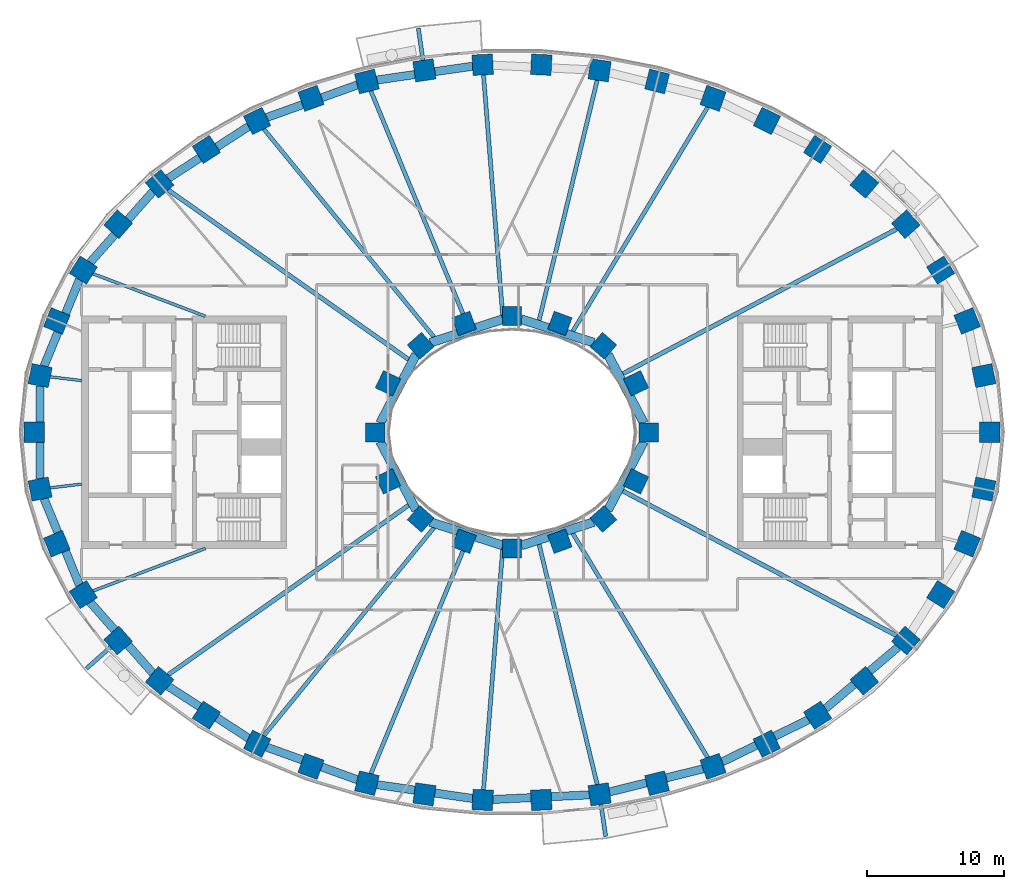
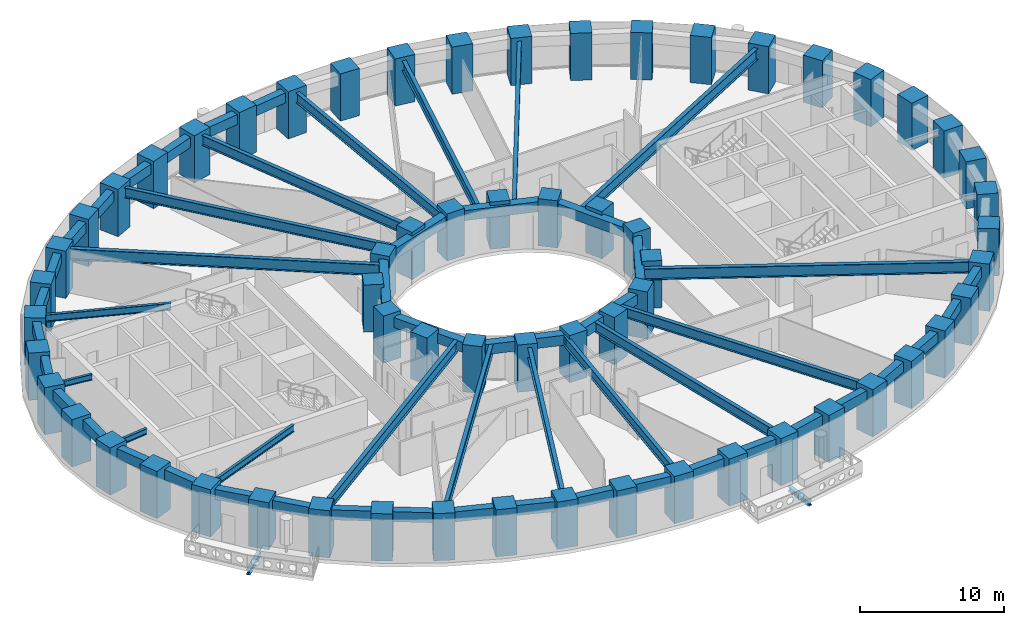
# One storey, part 1 of 16: 62 columns, 44 beams.
"""IFC4 building model written with IfcOpenShell, lengths in metres."""

import ifcopenshell
import ifcopenshell.guid

model = None  # the IFC model being written
_history = None  # IfcOwnerHistory: only IFC2X3 demands one
_inside = {}  # id of a spatial element -> (the spatial element, [elements in it])
_under = {}  # id of a project, library or spatial element -> (it, [spatial elements below it])
_declared = {}  # id of a project -> (the project, [libraries it declares])
_typed = {}  # id of a type object -> (the type object, [elements of that type])
_made_of = {}  # id of a material, layer set ... -> (it, [elements and type objects made of it])


def new_model(schema):
    """Start an empty IFC model of exactly this schema.

    Asked for "IFC4X3", IfcOpenShell would pick the latest addendum, in which some entities
    have other attributes; the version numbers below select the first issue.
    IFC2X3 requires an IfcOwnerHistory on every rooted entity: one is made here for all.
    """
    global model, _history
    if schema == "IFC4X3":
        model = ifcopenshell.file(schema_version=(4, 3, 0, 0))
    else:
        model = ifcopenshell.file(schema=schema)
    _inside.clear()
    _under.clear()
    _declared.clear()
    _typed.clear()
    _made_of.clear()
    _history = None
    if model.schema == "IFC2X3":
        org = make("IfcOrganization", Name="unknown")
        user = make(
            "IfcPersonAndOrganization",
            ThePerson=make("IfcPerson", FamilyName="unknown"),
            TheOrganization=org,
        )
        app = make(
            "IfcApplication",
            ApplicationDeveloper=org,
            Version="unknown",
            ApplicationFullName="unknown",
            ApplicationIdentifier="unknown",
        )
        _history = make(
            "IfcOwnerHistory",
            OwningUser=user,
            OwningApplication=app,
            ChangeAction="ADDED",
            CreationDate=0,
        )
    return model


def make(cls, **values):
    """One entity of the class cls with the attributes given. An attribute that is None is left unset."""
    return model.create_entity(
        cls, **{name: value for name, value in values.items() if value is not None}
    )


def rooted(cls, **values):
    """An entity with a GlobalId (a new one), such as an element, a storey or a relation."""
    return make(cls, GlobalId=ifcopenshell.guid.new(), OwnerHistory=_history, **values)


def si_unit(unit_type, name, prefix=None):
    """IfcSIUnit, for example si_unit("LENGTHUNIT", "METRE", prefix="MILLI")."""
    return make("IfcSIUnit", UnitType=unit_type, Prefix=prefix, Name=name)


def assignment(units):
    """IfcUnitAssignment: the units of a project."""
    return None if units is None else make("IfcUnitAssignment", Units=units)


def point(xyz):
    """IfcCartesianPoint."""
    return None if xyz is None else make("IfcCartesianPoint", Coordinates=xyz)


def direction(xyz):
    """IfcDirection."""
    return None if xyz is None else make("IfcDirection", DirectionRatios=xyz)


def frame(location, z_axis=None, x_axis=None):
    """IfcAxis2Placement3D, a coordinate frame: its origin and axes. An axis left out is left unset."""
    return make(
        "IfcAxis2Placement3D",
        Location=point(location),
        Axis=direction(z_axis),
        RefDirection=direction(x_axis),
    )


def frame_2d(location, x_axis=None):
    """IfcAxis2Placement2D, a coordinate frame in the plane: its origin and x axis."""
    return make(
        "IfcAxis2Placement2D", Location=point(location), RefDirection=direction(x_axis)
    )


def origin():
    """The frame at (0, 0, 0) with its axes left unset."""
    return frame((0.0, 0.0, 0.0))


def origin_2d():
    """The frame at (0, 0) in the plane with its x axis left unset."""
    return frame_2d((0.0, 0.0))


def place(relative_to, where):
    """IfcLocalPlacement: puts the frame where relative to a parent placement (None: the world)."""
    return make(
        "IfcLocalPlacement", PlacementRelTo=relative_to, RelativePlacement=where
    )


def context(
    kind, dimensions, precision=None, world=None, true_north=None, identifier=None
):
    """IfcGeometricRepresentationContext, for example the 3D "Model" context."""
    return make(
        "IfcGeometricRepresentationContext",
        ContextIdentifier=identifier,
        ContextType=kind,
        CoordinateSpaceDimension=dimensions,
        Precision=precision,
        WorldCoordinateSystem=world,
        TrueNorth=true_north,
    )


def subcontext(parent, identifier, kind, view, scale=None):
    """IfcGeometricRepresentationSubContext, for example "Body" below "Model"."""
    return make(
        "IfcGeometricRepresentationSubContext",
        ContextIdentifier=identifier,
        ContextType=kind,
        ParentContext=parent,
        TargetScale=scale,
        TargetView=view,
    )


def project(units=None, contexts=None):
    """IfcProject with its units and contexts."""
    return rooted(
        "IfcProject",
        Name="project",
        RepresentationContexts=contexts,
        UnitsInContext=assignment(units),
    )


def spatial(cls, under=None, at=None, **own):
    """A site, building, storey or space (cls), placed at a placement, below another one or the project."""
    s = rooted(cls, ObjectPlacement=at, **own)
    if under is not None:
        _under.setdefault(under.id(), (under, []))[1].append(s)
    return s


def profile(cls, at=None, kind="AREA", **sizes):
    """A parametric profile (cls). Its sizes go by their IFC names, for example OverallWidth=200.0."""
    return make(cls, ProfileType=kind, Position=at, **sizes)


def rectangle(**sizes):
    """IfcRectangleProfileDef."""
    return profile("IfcRectangleProfileDef", **sizes)


def i_section(**sizes):
    """IfcIShapeProfileDef."""
    return profile("IfcIShapeProfileDef", **sizes)


def extrude(swept, where, along, depth):
    """IfcExtrudedAreaSolid: the profile swept, set in the frame where, extruded along a direction by depth."""
    return make(
        "IfcExtrudedAreaSolid",
        SweptArea=swept,
        Position=where,
        ExtrudedDirection=direction(along),
        Depth=depth,
    )


def shape(context_of_items, identifier, shape_type, items):
    """IfcShapeRepresentation: the items that make up one representation, for example the "Body"."""
    return make(
        "IfcShapeRepresentation",
        ContextOfItems=context_of_items,
        RepresentationIdentifier=identifier,
        RepresentationType=shape_type,
        Items=items,
    )


def material(Name=None, Category=None):
    """IfcMaterial."""
    return make("IfcMaterial", Name=Name, Category=Category)


def material_profile(
    of_material, cross_section, Name=None, Category=None, Priority=None
):
    """IfcMaterialProfile: a cross section and its material."""
    return make(
        "IfcMaterialProfile",
        Name=Name,
        Material=of_material,
        Profile=cross_section,
        Priority=Priority,
        Category=Category,
    )


def profile_set(profiles, Name=None, composite=None):
    """IfcMaterialProfileSet."""
    return make(
        "IfcMaterialProfileSet",
        Name=Name,
        MaterialProfiles=profiles,
        CompositeProfile=composite,
    )


def made_of(thing, what):
    """Note that an element or type object is made of a material, layer set ...; save() writes the relation."""
    if what is not None:
        _made_of.setdefault(what.id(), (what, []))[1].append(thing)
    return thing


def type_object(cls, material=None, **own):
    """A type object (cls), such as IfcWallType, which elements share."""
    return made_of(rooted(cls, **own), material)


def element(
    cls,
    number,
    at=None,
    inside=None,
    cuts=None,
    type_object=None,
    material=None,
    context=None,
    identifier="Body",
    shape_type=None,
    held_by="IfcProductDefinitionShape",
    body=None,
    shapes=None,
    **own,
):
    """One element of the class cls, such as IfcWall. Its Tag is "e" and its number.

    at: its placement. inside: the storey or other place that contains it. cuts: it is an
    opening in that element (IfcRelVoidsElement). A single representation is given by context,
    identifier, shape_type and body (its items); several are given by shapes. held_by: the class
    of the entity that holds the representations. save() writes the other relations.
    """
    e = rooted(cls, Tag="e%d" % number, ObjectPlacement=at, **own)
    if body is not None:
        shapes = [shape(context, identifier, shape_type, body)]
    if shapes is not None:
        e.Representation = make(held_by, Representations=shapes)
    if inside is not None:
        _inside.setdefault(inside.id(), (inside, []))[1].append(e)
    if cuts is not None:
        rooted(
            "IfcRelVoidsElement", RelatingBuildingElement=cuts, RelatedOpeningElement=e
        )
    if type_object is not None:
        _typed.setdefault(type_object.id(), (type_object, []))[1].append(e)
    return made_of(e, material)


def aggregate(whole, parts):
    """IfcRelAggregates: a whole, such as a stair, and the parts it consists of."""
    return rooted("IfcRelAggregates", RelatingObject=whole, RelatedObjects=parts)


def save(model, path):
    """Write the relations noted so far, then the file.

    IfcRelAggregates (storeys below a building ...), IfcRelContainedInSpatialStructure (elements
    in a storey), IfcRelDefinesByType, IfcRelAssociatesMaterial and IfcRelDeclares: one each for
    every whole, place, type object, material and project.
    """
    for whole, parts in _under.values():
        aggregate(whole, parts)
    for where, things in _inside.values():
        rooted(
            "IfcRelContainedInSpatialStructure",
            RelatedElements=things,
            RelatingStructure=where,
        )
    for kind, things in _typed.values():
        rooted("IfcRelDefinesByType", RelatedObjects=things, RelatingType=kind)
    for what, things in _made_of.values():
        rooted("IfcRelAssociatesMaterial", RelatedObjects=things, RelatingMaterial=what)
    for by, libraries in _declared.values():
        rooted("IfcRelDeclares", RelatingContext=by, RelatedDefinitions=libraries)
    model.write(path)


model = new_model("IFC4")

# Units and contexts
model_context = context("Model", 3, precision=1e-05, world=origin(), true_north=direction((0.0, 1.0)))
body_context = subcontext(model_context, "Body", "Model", "MODEL_VIEW")
ifc_project = project(units=[si_unit("LENGTHUNIT", "METRE"), si_unit("AREAUNIT", "SQUARE_METRE"), si_unit("VOLUMEUNIT", "CUBIC_METRE"), si_unit("PLANEANGLEUNIT", "RADIAN"), si_unit("MASSUNIT", "GRAM", prefix="KILO")], contexts=[model_context])

# Site, building, storey
site_placement = place(None, origin())
site = spatial("IfcSite", under=ifc_project, at=site_placement, CompositionType="ELEMENT")
building_placement = place(site_placement, origin())
building = spatial("IfcBuilding", under=site, at=building_placement, Name="Noorbagh Ring Tower", CompositionType="ELEMENT")
storey_placement = place(building_placement, frame((0.0, 0.0, 54.5)))
storey = spatial("IfcBuildingStorey", under=building, at=storey_placement, Name="L11", CompositionType="ELEMENT", Elevation=54.5)

# Columns
ifc_material_1 = material(Name="Concrete C70/85", Category="concrete")
ifc_material_profile_1 = material_profile(ifc_material_1, rectangle(XDim=1.5, YDim=1.5, at=origin_2d()), Name="RC1500x1500")
ifc_profile_set_1 = profile_set([ifc_material_profile_1], Name="Concrete C70/85")
column_type_1 = type_object("IfcColumnType", Name="STR-COL-RC1500x1500-C70-85", PredefinedType="COLUMN", material=ifc_profile_set_1)
for number, where, z_axis, x_axis, name in (
    (1, (34.944580078125, 0.0, 0.0), (0.0, 0.0, 1.0), (0.0, 1.0, 0.0), "L11/col/R1-01"),
    (2, (34.52685546875, 4.150634765625, 0.0), (0.0, 0.0, 1.0), (-0.19723040178, 0.9803571638, 0.0), "L11/col/R1-02"),
    (3, (33.30517578125, 8.1494140625, 0.0), (0.0, 0.0, 1.0), (-0.378989499959, 0.925400971969, 0.0), "L11/col/R1-03"),
    (4, (31.364990234375, 11.87109375, 0.0), (0.0, 0.0, 1.0), (-0.535190403059, 0.844731455833, 0.0), "L11/col/R1-04"),
    (5, (28.81884765625, 15.23046875, 0.0), (0.0, 0.0, 1.0), (-0.662635642662, 0.748941923699, 0.0), "L11/col/R1-05"),
    (6, (25.78271484375, 18.180419921875, 0.0), (0.0, 0.0, 1.0), (-0.763035199656, 0.646356932419, 0.0), "L11/col/R1-06"),
    (7, (22.362060546875, 20.699951171875, 0.0), (0.0, 0.0, 1.0), (-0.840247639643, 0.542202825586, 0.0), "L11/col/R1-07"),
    (8, (18.646240234375, 22.785400390625, 0.0), (0.0, 0.0, 1.0), (-0.898399080868, 0.439180021741, 0.0), "L11/col/R1-08"),
    (9, (14.70947265625, 24.44091796875, 0.0), (0.0, 0.0, 1.0), (-0.941024726094, 0.338337797003, 0.0), "L11/col/R1-09"),
    (10, (10.61328125, 25.673583984375, 0.0), (0.0, 0.0, 1.0), (-0.970829360981, 0.239771457553, 0.0), "L11/col/R1-10"),
    (11, (6.4091796875, 26.49072265625, 0.0), (0.0, 0.0, 1.0), (-0.989713114048, 0.143066249975, 0.0), "L11/col/R1-11"),
    (12, (2.14306640625, 26.89794921875, 0.0), (0.0, 0.0, 1.0), (-0.998868731212, 0.047552684538, 0.0), "L11/col/R1-12"),
    (13, (-2.14306640625, 26.89794921875, 0.0), (0.0, 0.0, 1.0), (-0.998868731212, -0.047552684538, 0.0), "L11/col/R1-13"),
    (14, (-6.4091796875, 26.49072265625, 0.0), (0.0, 0.0, 1.0), (-0.989713114048, -0.143066249975, 0.0), "L11/col/R1-14"),
    (15, (-10.61328125, 25.673583984375, 0.0), (0.0, 0.0, 1.0), (-0.970829360981, -0.239771457553, 0.0), "L11/col/R1-15"),
    (16, (-14.70947265625, 24.44091796875, 0.0), (0.0, 0.0, 1.0), (-0.941024726094, -0.338337797003, 0.0), "L11/col/R1-16"),
    (17, (-18.646240234375, 22.785400390625, 0.0), (0.0, 0.0, 1.0), (-0.898399080868, -0.439180021741, 0.0), "L11/col/R1-17"),
    (18, (-22.362060546875, 20.699951171875, 0.0), (0.0, 0.0, 1.0), (-0.840247639643, -0.542202825586, 0.0), "L11/col/R1-18"),
    (19, (-25.78271484375, 18.180419921875, 0.0), (0.0, 0.0, 1.0), (-0.763035199656, -0.646356932419, 0.0), "L11/col/R1-19"),
    (20, (-28.81884765625, 15.23046875, 0.0), (0.0, 0.0, 1.0), (-0.662635642662, -0.748941923699, 0.0), "L11/col/R1-20"),
    (21, (-31.364990234375, 11.87109375, 0.0), (0.0, 0.0, 1.0), (-0.535190403059, -0.844731455833, 0.0), "L11/col/R1-21"),
    (22, (-33.30517578125, 8.1494140625, 0.0), (0.0, 0.0, 1.0), (-0.378989499959, -0.925400971969, 0.0), "L11/col/R1-22"),
    (23, (-34.52685546875, 4.150634765625, 0.0), (0.0, 0.0, 1.0), (-0.19723040178, -0.9803571638, 0.0), "L11/col/R1-23"),
    (24, (-34.944580078125, 0.0, 0.0), (0.0, 0.0, 1.0), (0.0, -1.0, 0.0), "L11/col/R1-24"),
    (25, (-34.52685546875, -4.150634765625, 0.0), (0.0, 0.0, 1.0), (0.19723040178, -0.9803571638, 0.0), "L11/col/R1-25"),
    (26, (-33.30517578125, -8.1494140625, 0.0), (0.0, 0.0, 1.0), (0.378989499959, -0.925400971969, 0.0), "L11/col/R1-26"),
    (27, (-31.364990234375, -11.87109375, 0.0), (0.0, 0.0, 1.0), (0.535190403059, -0.844731455833, 0.0), "L11/col/R1-27"),
    (28, (-28.81884765625, -15.23046875, 0.0), (0.0, 0.0, 1.0), (0.662635642662, -0.748941923699, 0.0), "L11/col/R1-28"),
    (29, (-25.78271484375, -18.180419921875, 0.0), (0.0, 0.0, 1.0), (0.763035199656, -0.646356932419, 0.0), "L11/col/R1-29"),
    (30, (-22.362060546875, -20.699951171875, 0.0), (0.0, 0.0, 1.0), (0.840247639643, -0.542202825586, 0.0), "L11/col/R1-30"),
    (31, (-18.646240234375, -22.785400390625, 0.0), (0.0, 0.0, 1.0), (0.898399080868, -0.439180021741, 0.0), "L11/col/R1-31"),
    (32, (-14.70947265625, -24.44091796875, 0.0), (0.0, 0.0, 1.0), (0.941024726094, -0.338337797003, 0.0), "L11/col/R1-32"),
    (33, (-10.61328125, -25.673583984375, 0.0), (0.0, 0.0, 1.0), (0.970829360981, -0.239771457553, 0.0), "L11/col/R1-33"),
    (34, (-6.4091796875, -26.49072265625, 0.0), (0.0, 0.0, 1.0), (0.989713114048, -0.143066249975, 0.0), "L11/col/R1-34"),
    (35, (-2.14306640625, -26.89794921875, 0.0), (0.0, 0.0, 1.0), (0.998868731212, -0.047552684538, 0.0), "L11/col/R1-35"),
    (36, (2.14306640625, -26.89794921875, 0.0), (0.0, 0.0, 1.0), (0.998868731212, 0.047552684538, 0.0), "L11/col/R1-36"),
    (37, (6.4091796875, -26.49072265625, 0.0), (0.0, 0.0, 1.0), (0.989713114048, 0.143066249975, 0.0), "L11/col/R1-37"),
    (38, (10.61328125, -25.673583984375, 0.0), (0.0, 0.0, 1.0), (0.970829360981, 0.239771457553, 0.0), "L11/col/R1-38"),
    (39, (14.70947265625, -24.44091796875, 0.0), (0.0, 0.0, 1.0), (0.941024726094, 0.338337797003, 0.0), "L11/col/R1-39"),
    (40, (18.646240234375, -22.785400390625, 0.0), (0.0, 0.0, 1.0), (0.898399080868, 0.439180021741, 0.0), "L11/col/R1-40"),
    (41, (22.362060546875, -20.699951171875, 0.0), (0.0, 0.0, 1.0), (0.840247639643, 0.542202825586, 0.0), "L11/col/R1-41"),
    (42, (25.78271484375, -18.180419921875, 0.0), (0.0, 0.0, 1.0), (0.763035199656, 0.646356932419, 0.0), "L11/col/R1-42"),
    (43, (28.81884765625, -15.23046875, 0.0), (0.0, 0.0, 1.0), (0.662635642662, 0.748941923699, 0.0), "L11/col/R1-43"),
    (44, (31.364990234375, -11.87109375, 0.0), (0.0, 0.0, 1.0), (0.535190403059, 0.844731455833, 0.0), "L11/col/R1-44"),
    (45, (33.30517578125, -8.1494140625, 0.0), (0.0, 0.0, 1.0), (0.378989499959, 0.925400971969, 0.0), "L11/col/R1-45"),
    (46, (34.52685546875, -4.150634765625, 0.0), (0.0, 0.0, 1.0), (0.19723040178, 0.9803571638, 0.0), "L11/col/R1-46"),
):
    element("IfcColumn", number, at=place(storey_placement, frame(where, z_axis=z_axis, x_axis=x_axis)), inside=storey, type_object=column_type_1, Name=name, PredefinedType="COLUMN", context=body_context, shape_type="SweptSolid", body=[
        extrude(rectangle(XDim=1.5, YDim=1.5, at=origin_2d()), origin(), (0.0, 0.0, 1.0), 4.0),
    ])
ifc_material_2 = material(Name="Concrete C70/85", Category="concrete")
ifc_material_profile_2 = material_profile(ifc_material_2, rectangle(XDim=1.39990234375, YDim=1.39990234375, at=origin_2d()), Name="RC1400x1400")
ifc_profile_set_2 = profile_set([ifc_material_profile_2], Name="Concrete C70/85")
column_type_2 = type_object("IfcColumnType", Name="STR-ICOL-RC1400x1400-C70-85", PredefinedType="COLUMN", material=ifc_profile_set_2)
for number, where, z_axis, x_axis, name in (
    (47, (10.00830078125, 0.0, 0.0), (0.0, 0.0, 1.0), (0.0, 1.0, 0.0), "L11/col/IR2-W01"),
    (48, (9.07568359375, 3.58837890625, 0.0), (0.0, 0.0, 1.0), (-0.428666979171, 0.903462573087, 0.0), "L11/col/IR2-W03"),
    (49, (6.68212890625, 6.333740234375, 0.0), (0.0, 0.0, 1.0), (-0.75102249095, 0.660276622399, 0.0), "L11/col/IR2-W05"),
    (50, (3.5009765625, 7.967041015625, 0.0), (0.0, 0.0, 1.0), (-0.939019578916, 0.343863679984, 0.0), "L11/col/IR2-W07"),
    (51, (0.0, 8.5029296875, 0.0), (0.0, 0.0, 1.0), (-1.0, 0.0, 0.0), "L11/col/IR2-W09"),
    (52, (-3.5009765625, 7.967041015625, 0.0), (0.0, 0.0, 1.0), (-0.939019578916, -0.343863679984, 0.0), "L11/col/IR2-W11"),
    (53, (-6.68212890625, 6.333740234375, 0.0), (0.0, 0.0, 1.0), (-0.75102249095, -0.660276622399, 0.0), "L11/col/IR2-W13"),
    (54, (-9.07568359375, 3.58837890625, 0.0), (0.0, 0.0, 1.0), (-0.428666979171, -0.903462573087, 0.0), "L11/col/IR2-W15"),
    (55, (-10.00830078125, 0.0, 0.0), (0.0, 0.0, 1.0), (0.0, -1.0, 0.0), "L11/col/IR2-W17"),
    (56, (-9.07568359375, -3.58837890625, 0.0), (0.0, 0.0, 1.0), (0.428666979171, -0.903462573087, 0.0), "L11/col/IR2-W19"),
    (57, (-6.68212890625, -6.333740234375, 0.0), (0.0, 0.0, 1.0), (0.75102249095, -0.660276622399, 0.0), "L11/col/IR2-W21"),
    (58, (-3.5009765625, -7.967041015625, 0.0), (0.0, 0.0, 1.0), (0.939019578916, -0.343863679984, 0.0), "L11/col/IR2-W23"),
    (59, (0.0, -8.5029296875, 0.0), (0.0, 0.0, 1.0), (1.0, 0.0, 0.0), "L11/col/IR2-W25"),
    (60, (3.5009765625, -7.967041015625, 0.0), (0.0, 0.0, 1.0), (0.939019578916, 0.343863679984, 0.0), "L11/col/IR2-W27"),
    (61, (6.68212890625, -6.333740234375, 0.0), (0.0, 0.0, 1.0), (0.75102249095, 0.660276622399, 0.0), "L11/col/IR2-W29"),
    (62, (9.07568359375, -3.58837890625, 0.0), (0.0, 0.0, 1.0), (0.428666979171, 0.903462573087, 0.0), "L11/col/IR2-W31"),
):
    element("IfcColumn", number, at=place(storey_placement, frame(where, z_axis=z_axis, x_axis=x_axis)), inside=storey, type_object=column_type_2, Name=name, PredefinedType="COLUMN", context=body_context, shape_type="SweptSolid", body=[
        extrude(rectangle(XDim=1.39990234375, YDim=1.39990234375, at=origin_2d()), origin(), (0.0, 0.0, 1.0), 4.0),
    ])

# Beams
ifc_material_3 = material(Name="Steel S355", Category="steel")
ifc_material_profile_3 = material_profile(ifc_material_3, i_section(OverallWidth=0.300048828125, OverallDepth=0.39990234375, WebThickness=0.013427734375, FlangeThickness=0.02392578125, FilletRadius=0.027099609375, at=origin_2d()), Name="HEB400")
ifc_profile_set_3 = profile_set([ifc_material_profile_3], Name="Steel S355")
beam_type_1 = type_object("IfcBeamType", Name="STR-BALCONY-BRACKET-HEB400", PredefinedType="BEAM", material=ifc_profile_set_3)
beam_1_placement = place(storey_placement, frame((-6.513671875, 27.21337890625, -0.5), z_axis=(-0.143062628068, 0.989713637599, 0.0), x_axis=(-0.989713637599, -0.143062628068, 0.0)))
element("IfcBeam", 63, at=beam_1_placement, inside=storey, type_object=beam_type_1, Name="Balcony bracket beam BN04", PredefinedType="BEAM", context=body_context, shape_type="SweptSolid", body=[
    extrude(i_section(OverallWidth=0.300048828125, OverallDepth=0.39990234375, WebThickness=0.013427734375, FlangeThickness=0.02392578125, FilletRadius=0.027099609375, at=origin_2d()), origin(), (0.0, 0.0, 1.0), 2.373779296875),
])
beam_2_placement = place(storey_placement, frame((-29.36572265625, -15.714111328125, -0.5), z_axis=(-0.749031813993, -0.662534030542, 0.0), x_axis=(0.662534030542, -0.749031813993, 0.0)))
element("IfcBeam", 64, at=beam_2_placement, inside=storey, type_object=beam_type_1, Name="Balcony bracket beam BS01", PredefinedType="BEAM", context=body_context, shape_type="SweptSolid", body=[
    extrude(i_section(OverallWidth=0.300048828125, OverallDepth=0.39990234375, WebThickness=0.013427734375, FlangeThickness=0.02392578125, FilletRadius=0.027099609375, at=origin_2d()), origin(), (0.0, 0.0, 1.0), 2.37939453125),
])
beam_3_placement = place(storey_placement, frame((6.513671875, -27.21337890625, -0.5), z_axis=(0.143062628068, -0.989713637599, 0.0), x_axis=(0.989713637599, 0.143062628068, 0.0)))
element("IfcBeam", 65, at=beam_3_placement, inside=storey, type_object=beam_type_1, Name="Balcony bracket beam BS04", PredefinedType="BEAM", context=body_context, shape_type="SweptSolid", body=[
    extrude(i_section(OverallWidth=0.300048828125, OverallDepth=0.39990234375, WebThickness=0.013427734375, FlangeThickness=0.02392578125, FilletRadius=0.027099609375, at=origin_2d()), origin(), (0.0, 0.0, 1.0), 2.373779296875),
])
ifc_material_4 = material(Name="Steel S355", Category="steel")
ifc_material_profile_4 = material_profile(ifc_material_4, i_section(OverallWidth=0.199951171875, OverallDepth=0.5, WebThickness=0.01025390625, FlangeThickness=0.01611328125, FilletRadius=0.02099609375, at=origin_2d()), Name="IPE500")
ifc_profile_set_4 = profile_set([ifc_material_profile_4], Name="Steel S355")
beam_type_2 = type_object("IfcBeamType", Name="STR-RAD-IPE500", PredefinedType="BEAM", material=ifc_profile_set_4)
for number, where, z_axis, x_axis, name in (
    (66, (-33.799560546875, 4.063232421875, 3.449951171875), (0.992852090588, -0.119351272363, 0.0), (0.119351272363, 0.992852090588, 0.0), "L11/bm/RD23"),
    (67, (-33.799560546875, -4.063232421875, 3.449951171875), (0.992852090588, 0.119351272363, 0.0), (-0.119351272363, 0.992852090588, 0.0), "L11/bm/RD25"),
):
    element("IfcBeam", number, at=place(storey_placement, frame(where, z_axis=z_axis, x_axis=x_axis)), inside=storey, type_object=beam_type_2, Name=name, PredefinedType="BEAM", context=body_context, shape_type="SweptSolid", body=[
        extrude(i_section(OverallWidth=0.199951171875, OverallDepth=0.5, WebThickness=0.01025390625, FlangeThickness=0.01611328125, FilletRadius=0.02099609375, at=origin_2d()), origin(), (0.0, 0.0, 1.0), 2.3359375),
    ])
ifc_material_5 = material(Name="Steel S355", Category="steel")
ifc_material_profile_5 = material_profile(ifc_material_5, i_section(OverallWidth=0.219970703125, OverallDepth=0.60009765625, WebThickness=0.011962890625, FlangeThickness=0.01904296875, FilletRadius=0.02392578125, at=origin_2d()), Name="IPE600")
ifc_profile_set_5 = profile_set([ifc_material_profile_5], Name="Steel S355")
beam_type_3 = type_object("IfcBeamType", Name="STR-RAD-IPE600", PredefinedType="BEAM", material=ifc_profile_set_5)
for number, where, z_axis, x_axis, name in (
    (68, (-30.66748046875, 11.60693359375, 3.39990234375), (0.93525621499, -0.353971485184, 0.0), (0.353971485184, 0.93525621499, 0.0), "L11/bm/RD21"),
    (69, (-30.66748046875, -11.60693359375, 3.39990234375), (0.93525621499, 0.353971485184, 0.0), (-0.353971485184, 0.93525621499, 0.0), "L11/bm/RD27"),
):
    element("IfcBeam", number, at=place(storey_placement, frame(where, z_axis=z_axis, x_axis=x_axis)), inside=storey, type_object=beam_type_3, Name=name, PredefinedType="BEAM", context=body_context, shape_type="SweptSolid", body=[
        extrude(i_section(OverallWidth=0.219970703125, OverallDepth=0.60009765625, WebThickness=0.011962890625, FlangeThickness=0.01904296875, FilletRadius=0.02392578125, at=origin_2d()), origin(), (0.0, 0.0, 1.0), 8.79736328125),
    ])
ifc_material_6 = material(Name="Steel S355", Category="steel")
ifc_material_profile_6 = material_profile(ifc_material_6, i_section(OverallWidth=0.300048828125, OverallDepth=0.85009765625, WebThickness=0.013916015625, FlangeThickness=0.028076171875, at=origin_2d()), Name="PG850x300x14x28")
ifc_profile_set_6 = profile_set([ifc_material_profile_6], Name="Steel S355")
beam_type_4 = type_object("IfcBeamType", Name="STR-RAD-PG850x300x14x28", PredefinedType="BEAM", material=ifc_profile_set_6)
beam_4_placement = place(storey_placement, frame((14.325439453125, 23.802734375, 3.27490234375), z_axis=(-0.515656740038, -0.856795265191, 0.0), x_axis=(0.856795265191, -0.515656740038, 0.0)))
element("IfcBeam", 70, at=beam_4_placement, inside=storey, type_object=beam_type_4, Name="L11/bm/RD09", PredefinedType="BEAM", context=body_context, shape_type="SweptSolid", body=[
    extrude(i_section(OverallWidth=0.300048828125, OverallDepth=0.85009765625, WebThickness=0.013916015625, FlangeThickness=0.028076171875, at=origin_2d()), origin(), (0.0, 0.0, 1.0), 19.16552734375),
])
beam_5_placement = place(storey_placement, frame((6.23681640625, 25.778076171875, 3.27490234375), z_axis=(-0.235164261049, -0.971955642159, 0.0), x_axis=(0.971955642159, -0.235164261049, 0.0)))
element("IfcBeam", 71, at=beam_5_placement, inside=storey, type_object=beam_type_4, Name="L11/bm/RD11", PredefinedType="BEAM", context=body_context, shape_type="SweptSolid", body=[
    extrude(i_section(OverallWidth=0.300048828125, OverallDepth=0.85009765625, WebThickness=0.013916015625, FlangeThickness=0.028076171875, at=origin_2d()), origin(), (0.0, 0.0, 1.0), 18.104736328125),
])
beam_6_placement = place(storey_placement, frame((-2.085205078125, 26.169921875, 3.27490234375), z_axis=(0.079431823064, -0.996840300893, 0.0), x_axis=(0.996840300893, 0.079431823064, 0.0)))
element("IfcBeam", 72, at=beam_6_placement, inside=storey, type_object=beam_type_4, Name="L11/bm/RD13", PredefinedType="BEAM", context=body_context, shape_type="SweptSolid", body=[
    extrude(i_section(OverallWidth=0.300048828125, OverallDepth=0.85009765625, WebThickness=0.013916015625, FlangeThickness=0.028076171875, at=origin_2d()), origin(), (0.0, 0.0, 1.0), 18.05126953125),
])
beam_7_placement = place(storey_placement, frame((-10.3310546875, 24.9912109375, 3.27490234375), z_axis=(0.382027192106, -0.924151083152, 0.0), x_axis=(0.924151083152, 0.382027192106, 0.0)))
element("IfcBeam", 73, at=beam_7_placement, inside=storey, type_object=beam_type_4, Name="L11/bm/RD15", PredefinedType="BEAM", context=body_context, shape_type="SweptSolid", body=[
    extrude(i_section(OverallWidth=0.300048828125, OverallDepth=0.85009765625, WebThickness=0.013916015625, FlangeThickness=0.028076171875, at=origin_2d()), origin(), (0.0, 0.0, 1.0), 18.624267578125),
])
for number, where, z_axis, x_axis, name in (
    (74, (-18.1708984375, 22.20458984375, 3.27490234375), (0.633309388091, -0.773898713628, 0.0), (0.773898713628, 0.633309388091, 0.0), "L11/bm/RD17"),
    (75, (-18.1708984375, -22.20458984375, 3.27490234375), (0.633309388091, 0.773898713628, 0.0), (-0.773898713628, 0.633309388091, 0.0), "L11/bm/RD31"),
):
    element("IfcBeam", number, at=place(storey_placement, frame(where, z_axis=z_axis, x_axis=x_axis)), inside=storey, type_object=beam_type_4, Name=name, PredefinedType="BEAM", context=body_context, shape_type="SweptSolid", body=[
        extrude(i_section(OverallWidth=0.300048828125, OverallDepth=0.85009765625, WebThickness=0.013916015625, FlangeThickness=0.028076171875, at=origin_2d()), origin(), (0.0, 0.0, 1.0), 19.68212890625),
    ])
beam_8_placement = place(storey_placement, frame((-10.3310546875, -24.9912109375, 3.27490234375), z_axis=(0.382027192106, 0.924151083152, 0.0), x_axis=(-0.924151083152, 0.382027192106, 0.0)))
element("IfcBeam", 76, at=beam_8_placement, inside=storey, type_object=beam_type_4, Name="L11/bm/RD33", PredefinedType="BEAM", context=body_context, shape_type="SweptSolid", body=[
    extrude(i_section(OverallWidth=0.300048828125, OverallDepth=0.85009765625, WebThickness=0.013916015625, FlangeThickness=0.028076171875, at=origin_2d()), origin(), (0.0, 0.0, 1.0), 18.624267578125),
])
beam_9_placement = place(storey_placement, frame((-2.085205078125, -26.169921875, 3.27490234375), z_axis=(0.079431823064, 0.996840300893, 0.0), x_axis=(-0.996840300893, 0.079431823064, 0.0)))
element("IfcBeam", 77, at=beam_9_placement, inside=storey, type_object=beam_type_4, Name="L11/bm/RD35", PredefinedType="BEAM", context=body_context, shape_type="SweptSolid", body=[
    extrude(i_section(OverallWidth=0.300048828125, OverallDepth=0.85009765625, WebThickness=0.013916015625, FlangeThickness=0.028076171875, at=origin_2d()), origin(), (0.0, 0.0, 1.0), 18.05126953125),
])
beam_10_placement = place(storey_placement, frame((6.23681640625, -25.778076171875, 3.27490234375), z_axis=(-0.235164261049, 0.971955642159, 0.0), x_axis=(-0.971955642159, -0.235164261049, 0.0)))
element("IfcBeam", 78, at=beam_10_placement, inside=storey, type_object=beam_type_4, Name="L11/bm/RD37", PredefinedType="BEAM", context=body_context, shape_type="SweptSolid", body=[
    extrude(i_section(OverallWidth=0.300048828125, OverallDepth=0.85009765625, WebThickness=0.013916015625, FlangeThickness=0.028076171875, at=origin_2d()), origin(), (0.0, 0.0, 1.0), 18.104736328125),
])
beam_11_placement = place(storey_placement, frame((14.325439453125, -23.802734375, 3.27490234375), z_axis=(-0.515656740038, 0.856795265191, 0.0), x_axis=(-0.856795265191, -0.515656740038, 0.0)))
element("IfcBeam", 79, at=beam_11_placement, inside=storey, type_object=beam_type_4, Name="L11/bm/RD39", PredefinedType="BEAM", context=body_context, shape_type="SweptSolid", body=[
    extrude(i_section(OverallWidth=0.300048828125, OverallDepth=0.85009765625, WebThickness=0.013916015625, FlangeThickness=0.028076171875, at=origin_2d()), origin(), (0.0, 0.0, 1.0), 19.16552734375),
])
ifc_material_7 = material(Name="Steel S355", Category="steel")
ifc_material_profile_7 = material_profile(ifc_material_7, i_section(OverallWidth=0.320068359375, OverallDepth=0.949951171875, WebThickness=0.01611328125, FlangeThickness=0.030029296875, at=origin_2d()), Name="PG950x320x16x30")
ifc_profile_set_7 = profile_set([ifc_material_profile_7], Name="Steel S355")
beam_type_5 = type_object("IfcBeamType", Name="STR-RAD-PG950x320x16x30", PredefinedType="BEAM", material=ifc_profile_set_7)
beam_12_placement = place(storey_placement, frame((28.154052734375, 14.879150390625, 3.22509765625), z_axis=(-0.88412365795, -0.467252990844, 0.0), x_axis=(0.467252990844, -0.88412365795, 0.0)))
element("IfcBeam", 80, at=beam_12_placement, inside=storey, type_object=beam_type_5, Name="L11/bm/RD05", PredefinedType="BEAM", context=body_context, shape_type="SweptSolid", body=[
    extrude(i_section(OverallWidth=0.320068359375, OverallDepth=0.949951171875, WebThickness=0.01611328125, FlangeThickness=0.030029296875, at=origin_2d()), origin(), (0.0, 0.0, 1.0), 22.67822265625),
])
for number, where, z_axis, x_axis, name in (
    (81, (-25.165771484375, 17.745361328125, 3.22509765625), (0.817254439709, -0.576277000041, 0.0), (0.576277000041, 0.817254439709, 0.0), "L11/bm/RD19"),
    (82, (-25.165771484375, -17.745361328125, 3.22509765625), (0.817254439709, 0.576277000041, 0.0), (-0.576277000041, 0.817254439709, 0.0), "L11/bm/RD29"),
):
    element("IfcBeam", number, at=place(storey_placement, frame(where, z_axis=z_axis, x_axis=x_axis)), inside=storey, type_object=beam_type_5, Name=name, PredefinedType="BEAM", context=body_context, shape_type="SweptSolid", body=[
        extrude(i_section(OverallWidth=0.320068359375, OverallDepth=0.949951171875, WebThickness=0.01611328125, FlangeThickness=0.030029296875, at=origin_2d()), origin(), (0.0, 0.0, 1.0), 21.548095703125),
    ])
beam_13_placement = place(storey_placement, frame((28.154052734375, -14.879150390625, 3.22509765625), z_axis=(-0.88412365795, 0.467252990844, 0.0), x_axis=(-0.467252990844, -0.88412365795, 0.0)))
element("IfcBeam", 83, at=beam_13_placement, inside=storey, type_object=beam_type_5, Name="L11/bm/RD43", PredefinedType="BEAM", context=body_context, shape_type="SweptSolid", body=[
    extrude(i_section(OverallWidth=0.320068359375, OverallDepth=0.949951171875, WebThickness=0.01611328125, FlangeThickness=0.030029296875, at=origin_2d()), origin(), (0.0, 0.0, 1.0), 22.67822265625),
])
ifc_material_8 = material(Name="Concrete C40/50", Category="concrete")
ifc_material_profile_8 = material_profile(ifc_material_8, rectangle(XDim=0.64990234375, YDim=0.85009765625, at=origin_2d()), Name="RC650x850")
ifc_profile_set_8 = profile_set([ifc_material_profile_8], Name="Concrete C40/50")
beam_type_6 = type_object("IfcBeamType", Name="STR-RB-RC650x850-C40-50", PredefinedType="BEAM", material=ifc_profile_set_8)
beam_14_placement = place(storey_placement, frame((9.650146484375, 0.682373046875, 3.27490234375), z_axis=(-0.464950685644, 0.885336580019, 0.0), x_axis=(-0.885336580019, -0.464950685644, 0.0)))
element("IfcBeam", 84, at=beam_14_placement, inside=storey, type_object=beam_type_6, Name="L11/bm/RG01", PredefinedType="BEAM", context=body_context, shape_type="SweptSolid", body=[
    extrude(rectangle(XDim=0.64990234375, YDim=0.85009765625, at=origin_2d()), origin(), (0.0, 0.0, 1.0), 5.653564453125),
])
for number, where, z_axis, x_axis, name in (
    (85, (5.97607421875, 6.56298828125, 3.27490234375), (-0.951149054478, 0.3087320459, 0.0), (-0.3087320459, -0.951149054478, 0.0), "L11/bm/RG03"),
    (86, (-0.680908203125, 8.28173828125, 3.27490234375), (-0.951149054478, -0.3087320459, 0.0), (0.3087320459, -0.951149054478, 0.0), "L11/bm/RG05"),
):
    element("IfcBeam", number, at=place(storey_placement, frame(where, z_axis=z_axis, x_axis=x_axis)), inside=storey, type_object=beam_type_6, Name=name, PredefinedType="BEAM", context=body_context, shape_type="SweptSolid", body=[
        extrude(rectangle(XDim=0.64990234375, YDim=0.85009765625, at=origin_2d()), origin(), (0.0, 0.0, 1.0), 5.567138671875),
    ])
for number, where, z_axis, x_axis, name in (
    (87, (-7.021484375, 5.687744140625, 3.27490234375), (-0.464950685644, -0.885336580019, 0.0), (0.885336580019, -0.464950685644, 0.0), "L11/bm/RG07"),
    (88, (-9.650146484375, -0.682373046875, 3.27490234375), (0.464950685644, -0.885336580019, 0.0), (0.885336580019, 0.464950685644, 0.0), "L11/bm/RG09"),
):
    element("IfcBeam", number, at=place(storey_placement, frame(where, z_axis=z_axis, x_axis=x_axis)), inside=storey, type_object=beam_type_6, Name=name, PredefinedType="BEAM", context=body_context, shape_type="SweptSolid", body=[
        extrude(rectangle(XDim=0.64990234375, YDim=0.85009765625, at=origin_2d()), origin(), (0.0, 0.0, 1.0), 5.653564453125),
    ])
for number, where, z_axis, x_axis, name in (
    (89, (-5.97607421875, -6.56298828125, 3.27490234375), (0.951149054478, -0.3087320459, 0.0), (0.3087320459, 0.951149054478, 0.0), "L11/bm/RG11"),
    (90, (0.680908203125, -8.28173828125, 3.27490234375), (0.951149054478, 0.3087320459, 0.0), (-0.3087320459, 0.951149054478, 0.0), "L11/bm/RG13"),
):
    element("IfcBeam", number, at=place(storey_placement, frame(where, z_axis=z_axis, x_axis=x_axis)), inside=storey, type_object=beam_type_6, Name=name, PredefinedType="BEAM", context=body_context, shape_type="SweptSolid", body=[
        extrude(rectangle(XDim=0.64990234375, YDim=0.85009765625, at=origin_2d()), origin(), (0.0, 0.0, 1.0), 5.567138671875),
    ])
beam_15_placement = place(storey_placement, frame((7.021484375, -5.687744140625, 3.27490234375), z_axis=(0.464950685644, 0.885336580019, 0.0), x_axis=(-0.885336580019, 0.464950685644, 0.0)))
element("IfcBeam", 91, at=beam_15_placement, inside=storey, type_object=beam_type_6, Name="L11/bm/RG15", PredefinedType="BEAM", context=body_context, shape_type="SweptSolid", body=[
    extrude(rectangle(XDim=0.64990234375, YDim=0.85009765625, at=origin_2d()), origin(), (0.0, 0.0, 1.0), 5.653564453125),
])
ifc_material_9 = material(Name="Concrete C40/50", Category="concrete")
ifc_material_profile_9 = material_profile(ifc_material_9, rectangle(XDim=0.60009765625, YDim=0.85009765625, at=origin_2d()), Name="RC600x850")
ifc_profile_set_9 = profile_set([ifc_material_profile_9], Name="Concrete C40/50")
beam_type_7 = type_object("IfcBeamType", Name="STR-SB-RC600x850-C40-50", PredefinedType="BEAM", material=ifc_profile_set_9)
beam_16_placement = place(storey_placement, frame((-2.869140625, 26.79296875, 3.27490234375), z_axis=(-0.989714712052, -0.14305519476, 0.0), x_axis=(0.14305519476, -0.989714712052, 0.0)))
element("IfcBeam", 92, at=beam_16_placement, inside=storey, type_object=beam_type_7, Name="L11/bm/SP13", PredefinedType="BEAM", context=body_context, shape_type="SweptSolid", body=[
    extrude(rectangle(XDim=0.60009765625, YDim=0.85009765625, at=origin_2d()), origin(), (0.0, 0.0, 1.0), 7.091064453125),
])
beam_17_placement = place(storey_placement, frame((-11.303955078125, 25.42529296875, 3.27490234375), z_axis=(-0.941024719218, -0.338337816127, 0.0), x_axis=(0.338337816127, -0.941024719218, 0.0)))
element("IfcBeam", 93, at=beam_17_placement, inside=storey, type_object=beam_type_7, Name="L11/bm/SP15", PredefinedType="BEAM", context=body_context, shape_type="SweptSolid", body=[
    extrude(rectangle(XDim=0.60009765625, YDim=0.85009765625, at=origin_2d()), origin(), (0.0, 0.0, 1.0), 7.06787109375),
])
beam_18_placement = place(storey_placement, frame((-19.26416015625, 22.38671875, 3.27490234375), z_axis=(-0.840248616013, -0.54220131251, 0.0), x_axis=(0.54220131251, -0.840248616013, 0.0)))
element("IfcBeam", 94, at=beam_18_placement, inside=storey, type_object=beam_type_7, Name="L11/bm/SP17", PredefinedType="BEAM", context=body_context, shape_type="SweptSolid", body=[
    extrude(rectangle(XDim=0.60009765625, YDim=0.85009765625, at=origin_2d()), origin(), (0.0, 0.0, 1.0), 7.021728515625),
])
beam_19_placement = place(storey_placement, frame((-26.271728515625, 17.627685546875, 3.27490234375), z_axis=(-0.662649709282, -0.748929477847, 0.0), x_axis=(0.748929477847, -0.662649709282, 0.0)))
element("IfcBeam", 95, at=beam_19_placement, inside=storey, type_object=beam_type_7, Name="L11/bm/SP19", PredefinedType="BEAM", context=body_context, shape_type="SweptSolid", body=[
    extrude(rectangle(XDim=0.60009765625, YDim=0.85009765625, at=origin_2d()), origin(), (0.0, 0.0, 1.0), 6.94677734375),
])
beam_20_placement = place(storey_placement, frame((-31.646240234375, 11.1845703125, 3.27490234375), z_axis=(-0.378965542347, -0.925410783228, 0.0), x_axis=(0.925410783228, -0.378965542347, 0.0)))
element("IfcBeam", 96, at=beam_20_placement, inside=storey, type_object=beam_type_7, Name="L11/bm/SP21", PredefinedType="BEAM", context=body_context, shape_type="SweptSolid", body=[
    extrude(rectangle(XDim=0.60009765625, YDim=0.85009765625, at=origin_2d()), origin(), (0.0, 0.0, 1.0), 6.857177734375),
])
beam_21_placement = place(storey_placement, frame((-34.52685546875, 3.40576171875, 3.27490234375), z_axis=(0.0, -1.0, 0.0), x_axis=(1.0, 0.0, 0.0)))
element("IfcBeam", 97, at=beam_21_placement, inside=storey, type_object=beam_type_7, Name="L11/bm/SP23", PredefinedType="BEAM", context=body_context, shape_type="SweptSolid", body=[
    extrude(rectangle(XDim=0.60009765625, YDim=0.85009765625, at=origin_2d()), origin(), (0.0, 0.0, 1.0), 6.8115234375),
])
beam_22_placement = place(storey_placement, frame((-34.244873046875, -4.8388671875, 3.27490234375), z_axis=(0.378965542347, -0.925410783228, 0.0), x_axis=(0.925410783228, 0.378965542347, 0.0)))
element("IfcBeam", 98, at=beam_22_placement, inside=storey, type_object=beam_type_7, Name="L11/bm/SP25", PredefinedType="BEAM", context=body_context, shape_type="SweptSolid", body=[
    extrude(rectangle(XDim=0.60009765625, YDim=0.85009765625, at=origin_2d()), origin(), (0.0, 0.0, 1.0), 6.857177734375),
])
beam_23_placement = place(storey_placement, frame((-30.875, -12.425048828125, 3.27490234375), z_axis=(0.662649709282, -0.748929477847, 0.0), x_axis=(0.748929477847, 0.662649709282, 0.0)))
element("IfcBeam", 99, at=beam_23_placement, inside=storey, type_object=beam_type_7, Name="L11/bm/SP27", PredefinedType="BEAM", context=body_context, shape_type="SweptSolid", body=[
    extrude(rectangle(XDim=0.60009765625, YDim=0.85009765625, at=origin_2d()), origin(), (0.0, 0.0, 1.0), 6.94677734375),
])
beam_24_placement = place(storey_placement, frame((-25.1640625, -18.57958984375, 3.27490234375), z_axis=(0.840248616013, -0.54220131251, 0.0), x_axis=(0.54220131251, 0.840248616013, 0.0)))
element("IfcBeam", 100, at=beam_24_placement, inside=storey, type_object=beam_type_7, Name="L11/bm/SP29", PredefinedType="BEAM", context=body_context, shape_type="SweptSolid", body=[
    extrude(rectangle(XDim=0.60009765625, YDim=0.85009765625, at=origin_2d()), origin(), (0.0, 0.0, 1.0), 7.021728515625),
])
beam_25_placement = place(storey_placement, frame((-17.955078125, -23.033935546875, 3.27490234375), z_axis=(0.941024719218, -0.338337816127, 0.0), x_axis=(0.338337816127, 0.941024719218, 0.0)))
element("IfcBeam", 101, at=beam_25_placement, inside=storey, type_object=beam_type_7, Name="L11/bm/SP31", PredefinedType="BEAM", context=body_context, shape_type="SweptSolid", body=[
    extrude(rectangle(XDim=0.60009765625, YDim=0.85009765625, at=origin_2d()), origin(), (0.0, 0.0, 1.0), 7.06787109375),
])
beam_26_placement = place(storey_placement, frame((-9.88720703125, -25.778564453125, 3.27490234375), z_axis=(0.989714712052, -0.14305519476, 0.0), x_axis=(0.14305519476, 0.989714712052, 0.0)))
element("IfcBeam", 102, at=beam_26_placement, inside=storey, type_object=beam_type_7, Name="L11/bm/SP33", PredefinedType="BEAM", context=body_context, shape_type="SweptSolid", body=[
    extrude(rectangle(XDim=0.60009765625, YDim=0.85009765625, at=origin_2d()), origin(), (0.0, 0.0, 1.0), 7.091064453125),
])
beam_27_placement = place(storey_placement, frame((-1.41064453125, -26.863037109375, 3.27490234375), z_axis=(0.998868682603, 0.047553705583, 0.0), x_axis=(-0.047553705583, 0.998868682603, 0.0)))
element("IfcBeam", 103, at=beam_27_placement, inside=storey, type_object=beam_type_7, Name="L11/bm/SP35", PredefinedType="BEAM", context=body_context, shape_type="SweptSolid", body=[
    extrude(rectangle(XDim=0.60009765625, YDim=0.85009765625, at=origin_2d()), origin(), (0.0, 0.0, 1.0), 7.09521484375),
])
beam_28_placement = place(storey_placement, frame((7.12158203125, -26.31494140625, 3.27490234375), z_axis=(0.970830070282, 0.23976858559, 0.0), x_axis=(-0.23976858559, 0.970830070282, 0.0)))
element("IfcBeam", 104, at=beam_28_placement, inside=storey, type_object=beam_type_7, Name="L11/bm/SP37", PredefinedType="BEAM", context=body_context, shape_type="SweptSolid", body=[
    extrude(rectangle(XDim=0.60009765625, YDim=0.85009765625, at=origin_2d()), origin(), (0.0, 0.0, 1.0), 7.081787109375),
])
beam_29_placement = place(storey_placement, frame((15.369384765625, -24.1181640625, 3.27490234375), z_axis=(0.898409265653, 0.439159186843, 0.0), x_axis=(-0.439159186843, 0.898409265653, 0.0)))
element("IfcBeam", 105, at=beam_29_placement, inside=storey, type_object=beam_type_7, Name="L11/bm/SP39", PredefinedType="BEAM", context=body_context, shape_type="SweptSolid", body=[
    extrude(rectangle(XDim=0.60009765625, YDim=0.85009765625, at=origin_2d()), origin(), (0.0, 0.0, 1.0), 7.048095703125),
])
beam_30_placement = place(storey_placement, frame((22.923828125, -20.22412109375, 3.27490234375), z_axis=(0.763024386832, 0.646369696922, 0.0), x_axis=(-0.646369696922, 0.763024386832, 0.0)))
element("IfcBeam", 106, at=beam_30_placement, inside=storey, type_object=beam_type_7, Name="L11/bm/SP41", PredefinedType="BEAM", context=body_context, shape_type="SweptSolid", body=[
    extrude(rectangle(XDim=0.60009765625, YDim=0.85009765625, at=origin_2d()), origin(), (0.0, 0.0, 1.0), 6.988037109375),
])

save(model, "model.ifc")
